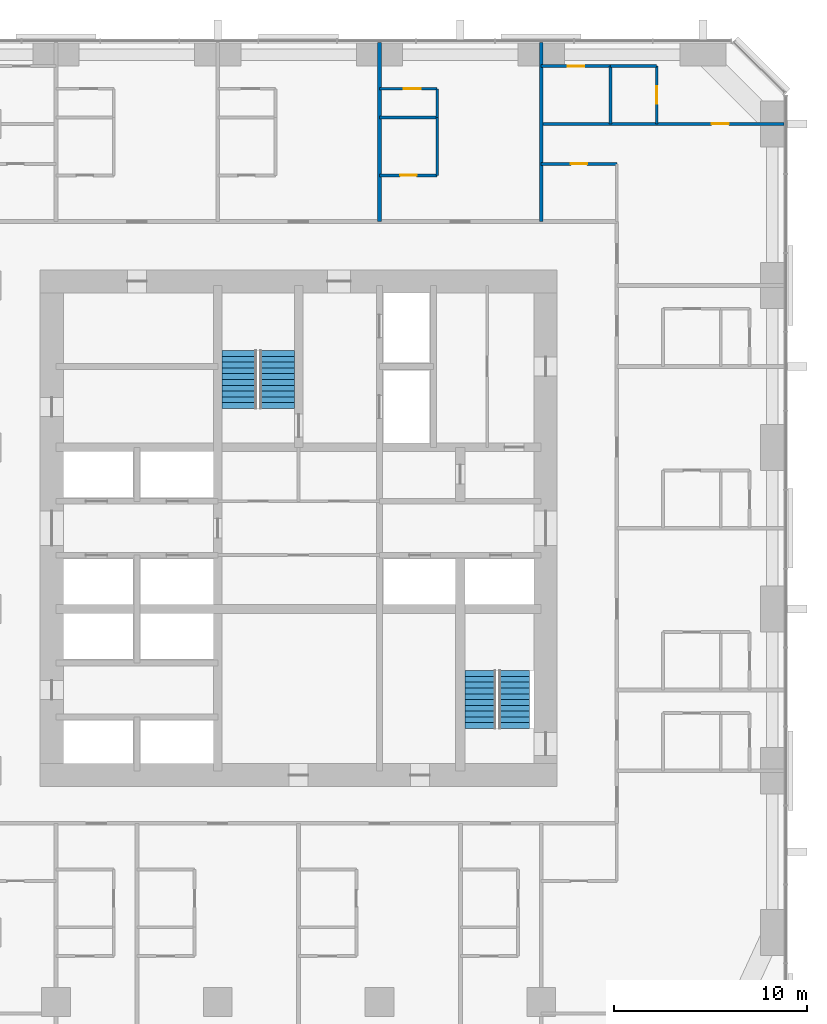
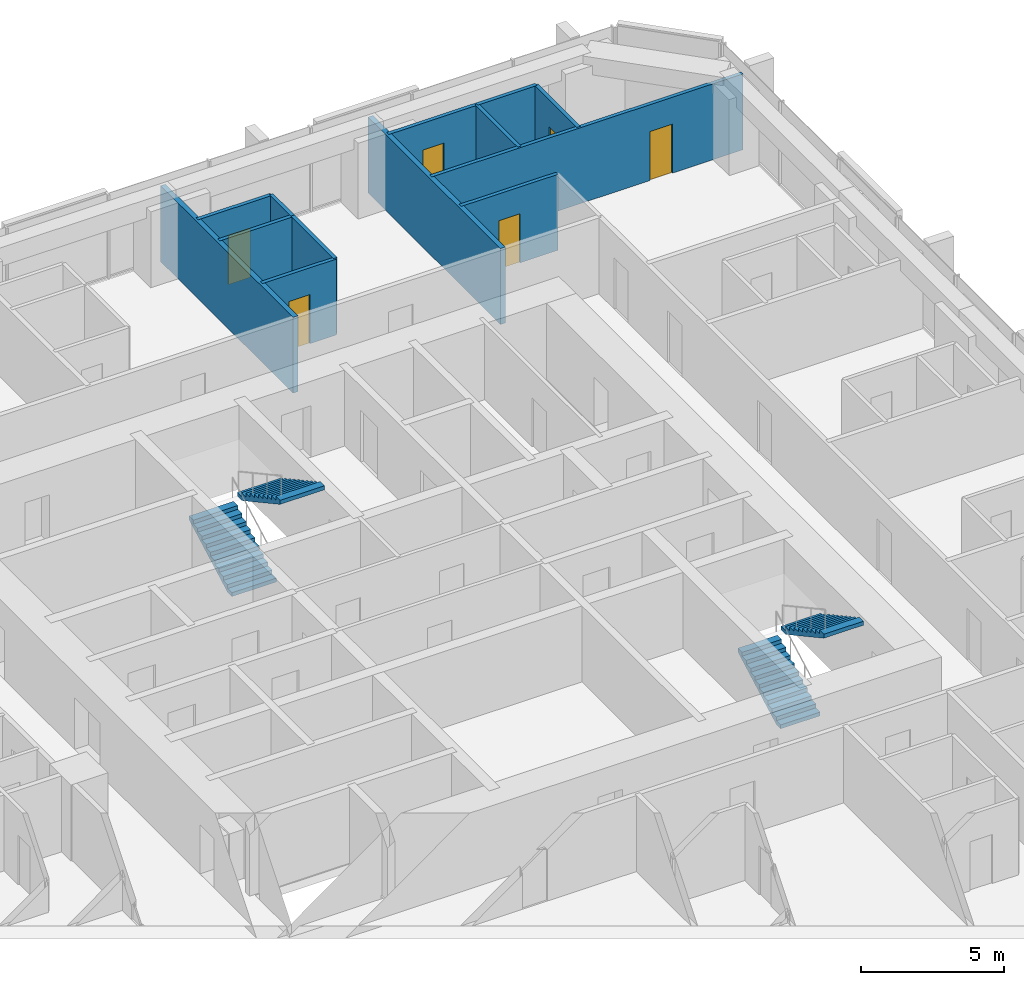
# One storey, part 13 of 14: 13 walls, 6 doors, 4 stair flights, 6 openings, 2 elements without a shape of their own.
"""IFC4 building model written with IfcOpenShell, lengths in metres."""

from ifc_helpers import new_model, si_unit, direction, frame, frame_2d, origin, place, context, subcontext, project, spatial, polyline, rectangle, outline, extrude, material, layer, layer_set, type_object, element, fill, aggregate, save


model = new_model("IFC4")

# Units and contexts
model_context = context("Model", 3, precision=1e-05, world=origin(), true_north=direction((0.0, 1.0)))
body_context = subcontext(model_context, "Body", "Model", "MODEL_VIEW")
ifc_project = project(units=[si_unit("LENGTHUNIT", "METRE"), si_unit("AREAUNIT", "SQUARE_METRE"), si_unit("VOLUMEUNIT", "CUBIC_METRE"), si_unit("PLANEANGLEUNIT", "RADIAN"), si_unit("MASSUNIT", "GRAM", prefix="KILO")], contexts=[model_context])

# Site, building, storey
site_placement = place(None, origin())
site = spatial("IfcSite", under=ifc_project, at=site_placement, CompositionType="ELEMENT")
building_placement = place(site_placement, origin())
building = spatial("IfcBuilding", under=site, at=building_placement, Name="Dunama Terrace Hotel", CompositionType="ELEMENT")
storey_placement = place(building_placement, frame((0.0, 0.0, 104.39990234375)))
storey = spatial("IfcBuildingStorey", under=building, at=storey_placement, Name="L26", CompositionType="ELEMENT", Elevation=104.39990234375)

# Wall
ifc_material_1 = material(Name="Gypsum board partition", Category="masonry")
ifc_layer_1 = layer(ifc_material_1, 0.14990234375)
ifc_layer_set_1 = layer_set([ifc_layer_1], Name="Bathroom partition 150")
wall_type_1 = type_object("IfcWallType", Name="Bathroom partition 150", PredefinedType="PARTITIONING", material=ifc_layer_set_1)
wall_1_placement = place(storey_placement, frame((36.60009765625, 47.72509765625, 0.0), z_axis=(0.0, 0.0, 1.0), x_axis=(0.0, 1.0, 0.0)))
element("IfcWall", 1, at=wall_1_placement, inside=storey, type_object=wall_type_1, Name="Bathroom partition 150 L26", PredefinedType="PARTITIONING", context=body_context, shape_type="SweptSolid", body=[
    extrude(rectangle(XDim=3.0, YDim=0.14990234375, at=frame_2d((1.5, 0.0))), origin(), (0.0, 0.0, 1.0), 3.25),
])

# Wall, opening, door
wall_2_placement = place(storey_placement, frame((33.60009765625, 47.72509765625, 0.0), z_axis=(0.0, 0.0, 1.0), x_axis=(1.0, 0.0, 0.0)))
wall_2 = element("IfcWall", 2, at=wall_2_placement, inside=storey, type_object=wall_type_1, Name="Bathroom partition 150 L26", PredefinedType="PARTITIONING", context=body_context, shape_type="SweptSolid", body=[
    extrude(rectangle(XDim=3.0, YDim=0.14990234375, at=frame_2d((1.5, 0.0))), origin(), (0.0, 0.0, 1.0), 3.25),
])
opening_1_placement = place(wall_2_placement, frame((1.074951171875, 0.0, 0.0)))
opening_1 = element("IfcOpeningElement", 3, at=opening_1_placement, cuts=wall_2, Name="Opening L25-27-042", PredefinedType="OPENING", context=body_context, shape_type="SweptSolid", body=[
    extrude(rectangle(XDim=0.85009765625, YDim=2.10009765625, at=frame_2d((0.425048828125, 1.050048828125))), frame((0.0, 0.0849609375, 0.0), z_axis=(0.0, -1.0, 0.0), x_axis=(1.0, 0.0, 0.0)), (0.0, 0.0, 1.0), 0.169921875),
])
ifc_material_2 = material(Name="Timber door with steel frame", Category="steel")
door_type_1 = type_object("IfcDoorType", Name="Bathroom door 850", OperationType="SINGLE_SWING_LEFT", PredefinedType="DOOR", material=ifc_material_2)
door_1_placement = place(opening_1_placement, origin())
door_1 = element("IfcDoor", 4, at=door_1_placement, inside=storey, type_object=door_type_1, Name="Door to en-suite bathroom L25-27-042, type D2", OperationType="SINGLE_SWING_LEFT", OverallHeight=2.10009765625, OverallWidth=0.85009765625, PredefinedType="DOOR", context=body_context, shape_type="SweptSolid", body=[
    extrude(rectangle(XDim=0.85009765625, YDim=2.10009765625, at=frame_2d((0.425048828125, 1.050048828125))), frame((0.0, 0.02490234375, 0.0), z_axis=(0.0, -1.0, 0.0), x_axis=(1.0, 0.0, 0.0)), (0.0, 0.0, 1.0), 0.050048828125),
])
fill(opening_1, door_1)

wall_3_placement = place(storey_placement, frame((42.0, 48.324951171875, 0.0), z_axis=(0.0, 0.0, 1.0), x_axis=(1.0, 0.0, 0.0)))
wall_3 = element("IfcWall", 5, at=wall_3_placement, inside=storey, type_object=wall_type_1, Name="Bathroom partition 150 L26", PredefinedType="PARTITIONING", context=body_context, shape_type="SweptSolid", body=[
    extrude(rectangle(XDim=3.925048828125, YDim=0.14990234375, at=frame_2d((1.96240234375, 0.0))), origin(), (0.0, 0.0, 1.0), 3.25),
])
opening_2_placement = place(wall_3_placement, frame((1.5380859375, 0.0, 0.0)))
opening_2 = element("IfcOpeningElement", 6, at=opening_2_placement, cuts=wall_3, Name="Opening L25-27-070", PredefinedType="OPENING", context=body_context, shape_type="SweptSolid", body=[
    extrude(rectangle(XDim=0.85009765625, YDim=2.10009765625, at=frame_2d((0.425048828125, 1.050048828125))), frame((0.0, 0.0849609375, 0.0), z_axis=(0.0, -1.0, 0.0), x_axis=(1.0, 0.0, 0.0)), (0.0, 0.0, 1.0), 0.169921875),
])
door_2_placement = place(opening_2_placement, frame((0.85009765625, 0.0, 0.0), z_axis=(0.0, 0.0, 1.0), x_axis=(-1.0, 0.0, 0.0)))
door_2 = element("IfcDoor", 7, at=door_2_placement, inside=storey, type_object=door_type_1, Name="Door to powder room L25-27-070, type D2", OperationType="SINGLE_SWING_RIGHT", OverallHeight=2.10009765625, OverallWidth=0.85009765625, PredefinedType="DOOR", context=body_context, shape_type="SweptSolid", body=[
    extrude(rectangle(XDim=0.85009765625, YDim=2.10009765625, at=frame_2d((0.425048828125, 1.050048828125))), frame((0.0, 0.025146484375, 0.0), z_axis=(0.0, -1.0, 0.0), x_axis=(1.0, 0.0, 0.0)), (0.0, 0.0, 1.0), 0.050048828125),
])
fill(opening_2, door_2)

wall_4_placement = place(storey_placement, frame((42.0, 53.39990234375, 0.0), z_axis=(0.0, 0.0, 1.0), x_axis=(1.0, 0.0, 0.0)))
wall_4 = element("IfcWall", 8, at=wall_4_placement, inside=storey, type_object=wall_type_1, Name="Bathroom partition 150 L26", PredefinedType="PARTITIONING", context=body_context, shape_type="SweptSolid", body=[
    extrude(rectangle(XDim=3.60009765625, YDim=0.14990234375, at=frame_2d((1.800048828125, 0.0))), origin(), (0.0, 0.0, 1.0), 3.25),
])
opening_3_placement = place(wall_4_placement, frame((1.375, 0.0, 0.0)))
opening_3 = element("IfcOpeningElement", 9, at=opening_3_placement, cuts=wall_4, Name="Opening L25-27-072", PredefinedType="OPENING", context=body_context, shape_type="SweptSolid", body=[
    extrude(rectangle(XDim=0.85009765625, YDim=2.10009765625, at=frame_2d((0.425048828125, 1.050048828125))), frame((0.0, 0.0849609375, 0.0), z_axis=(0.0, -1.0, 0.0), x_axis=(1.0, 0.0, 0.0)), (0.0, 0.0, 1.0), 0.169921875),
])
door_3_placement = place(opening_3_placement, frame((0.85009765625, 0.0, 0.0), z_axis=(0.0, 0.0, 1.0), x_axis=(-1.0, 0.0, 0.0)))
door_3 = element("IfcDoor", 10, at=door_3_placement, inside=storey, type_object=door_type_1, Name="Door to en-suite bathroom L25-27-072, type D2", OperationType="SINGLE_SWING_RIGHT", OverallHeight=2.10009765625, OverallWidth=0.85009765625, PredefinedType="DOOR", context=body_context, shape_type="SweptSolid", body=[
    extrude(rectangle(XDim=0.85009765625, YDim=2.10009765625, at=frame_2d((0.425048828125, 1.050048828125))), frame((0.0, 0.025146484375, 0.0), z_axis=(0.0, -1.0, 0.0), x_axis=(1.0, 0.0, 0.0)), (0.0, 0.0, 1.0), 0.050048828125),
])
fill(opening_3, door_3)

# Walls
ifc_material_3 = material(Name="Concrete blockwork", Category="masonry")
ifc_layer_2 = layer(ifc_material_3, 0.199951171875)
ifc_layer_set_2 = layer_set([ifc_layer_2], Name="Party wall 200")
wall_type_2 = type_object("IfcWallType", Name="Party wall 200", PredefinedType="PARTITIONING", material=ifc_layer_set_2)
for number, where, z_axis, x_axis, name in (
    (11, (33.60009765625, 45.324951171875, 0.0), (0.0, 0.0, 1.0), (0.0, 1.0, 0.0), "Party wall 200 L26"),
    (12, (42.0, 45.324951171875, 0.0), (0.0, 0.0, 1.0), (0.0, 1.0, 0.0), "Party wall 200 L26"),
):
    element("IfcWall", number, at=place(storey_placement, frame(where, z_axis=z_axis, x_axis=x_axis)), inside=storey, type_object=wall_type_2, Name=name, PredefinedType="PARTITIONING", context=body_context, shape_type="SweptSolid", body=[
        extrude(rectangle(XDim=9.29296875, YDim=0.199951171875, at=frame_2d((4.646484375, 0.0))), origin(), (0.0, 0.0, 1.0), 3.25),
    ])
ifc_material_4 = material(Name="Gypsum board partition", Category="masonry")
ifc_layer_3 = layer(ifc_material_4, 0.14990234375)
ifc_layer_set_3 = layer_set([ifc_layer_3], Name="Room partition 150")
wall_type_3 = type_object("IfcWallType", Name="Room partition 150", PredefinedType="PARTITIONING", material=ifc_layer_set_3)
wall_5_placement = place(storey_placement, frame((36.60009765625, 50.72509765625, 0.0), z_axis=(0.0, 0.0, 1.0), x_axis=(0.0, 1.0, 0.0)))
element("IfcWall", 13, at=wall_5_placement, inside=storey, type_object=wall_type_3, Name="Room partition 150 L26", PredefinedType="PARTITIONING", context=body_context, shape_type="SweptSolid", body=[
    extrude(rectangle(XDim=1.5, YDim=0.14990234375, at=frame_2d((0.75, 0.0))), origin(), (0.0, 0.0, 1.0), 3.25),
])
wall_6_placement = place(storey_placement, frame((45.60009765625, 50.39990234375, 0.0), z_axis=(0.0, 0.0, 1.0), x_axis=(0.0, 1.0, 0.0)))
element("IfcWall", 14, at=wall_6_placement, inside=storey, type_object=wall_type_3, Name="Room partition 150 L26", PredefinedType="PARTITIONING", context=body_context, shape_type="SweptSolid", body=[
    extrude(rectangle(XDim=3.0, YDim=0.14990234375, at=frame_2d((1.5, 0.0))), origin(), (0.0, 0.0, 1.0), 3.25),
])

# Wall, opening, door
wall_7_placement = place(storey_placement, frame((48.0, 50.39990234375, 0.0), z_axis=(0.0, 0.0, 1.0), x_axis=(0.0, 1.0, 0.0)))
wall_7 = element("IfcWall", 15, at=wall_7_placement, inside=storey, type_object=wall_type_3, Name="Room partition 150 L26", PredefinedType="PARTITIONING", context=body_context, shape_type="SweptSolid", body=[
    extrude(rectangle(XDim=3.0, YDim=0.14990234375, at=frame_2d((1.5, 0.0))), origin(), (0.0, 0.0, 1.0), 3.25),
])
opening_4_placement = place(wall_7_placement, frame((1.050048828125, 0.0, 0.0)))
opening_4 = element("IfcOpeningElement", 16, at=opening_4_placement, cuts=wall_7, Name="Opening L25-27-073", PredefinedType="OPENING", context=body_context, shape_type="SweptSolid", body=[
    extrude(rectangle(XDim=0.89990234375, YDim=2.10009765625, at=frame_2d((0.449951171875, 1.050048828125))), frame((0.0, 0.0849609375, 0.0), z_axis=(0.0, -1.0, 0.0), x_axis=(1.0, 0.0, 0.0)), (0.0, 0.0, 1.0), 0.169921875),
])
ifc_material_5 = material(Name="Timber door with steel frame", Category="steel")
door_type_2 = type_object("IfcDoorType", Name="Suite internal door 900", OperationType="SINGLE_SWING_LEFT", PredefinedType="DOOR", material=ifc_material_5)
door_4_placement = place(opening_4_placement, origin())
door_4 = element("IfcDoor", 17, at=door_4_placement, inside=storey, type_object=door_type_2, Name="Door to dressing room L25-27-073, type D16", OperationType="SINGLE_SWING_LEFT", OverallHeight=2.10009765625, OverallWidth=0.89990234375, PredefinedType="DOOR", context=body_context, shape_type="SweptSolid", body=[
    extrude(rectangle(XDim=0.89990234375, YDim=2.10009765625, at=frame_2d((0.449951171875, 1.050048828125))), frame((0.0, 0.02490234375, 0.0), z_axis=(0.0, -1.0, 0.0), x_axis=(1.0, 0.0, 0.0)), (0.0, 0.0, 1.0), 0.050048828125),
])
fill(opening_4, door_4)

wall_8_placement = place(storey_placement, frame((42.0, 50.39990234375, 0.0), z_axis=(0.0, 0.0, 1.0), x_axis=(1.0, 0.0, 0.0)))
wall_8 = element("IfcWall", 18, at=wall_8_placement, inside=storey, type_object=wall_type_3, Name="Room partition 150 L26", PredefinedType="PARTITIONING", context=body_context, shape_type="SweptSolid", body=[
    extrude(rectangle(XDim=12.617919921875, YDim=0.14990234375, at=frame_2d((6.30908203125, 0.0))), origin(), (0.0, 0.0, 1.0), 3.25),
])
opening_5_placement = place(wall_8_placement, frame((8.85009765625, 0.0, 0.0)))
opening_5 = element("IfcOpeningElement", 19, at=opening_5_placement, cuts=wall_8, Name="Opening L25-27-071", PredefinedType="OPENING", context=body_context, shape_type="SweptSolid", body=[
    extrude(rectangle(XDim=0.89990234375, YDim=2.10009765625, at=frame_2d((0.449951171875, 1.050048828125))), frame((0.0, 0.0849609375, 0.0), z_axis=(0.0, -1.0, 0.0), x_axis=(1.0, 0.0, 0.0)), (0.0, 0.0, 1.0), 0.169921875),
])
door_5_placement = place(opening_5_placement, origin())
door_5 = element("IfcDoor", 20, at=door_5_placement, inside=storey, type_object=door_type_2, Name="Door to corner suite bedroom L25-27-071, type D16", OperationType="SINGLE_SWING_RIGHT", OverallHeight=2.10009765625, OverallWidth=0.89990234375, PredefinedType="DOOR", context=body_context, shape_type="SweptSolid", body=[
    extrude(rectangle(XDim=0.89990234375, YDim=2.10009765625, at=frame_2d((0.449951171875, 1.050048828125))), frame((0.0, 0.02490234375, 0.0), z_axis=(0.0, -1.0, 0.0), x_axis=(1.0, 0.0, 0.0)), (0.0, 0.0, 1.0), 0.050048828125),
])
fill(opening_5, door_5)

# Wall
wall_9_placement = place(storey_placement, frame((33.60009765625, 50.72509765625, 0.0), z_axis=(0.0, 0.0, 1.0), x_axis=(1.0, 0.0, 0.0)))
element("IfcWall", 21, at=wall_9_placement, inside=storey, type_object=wall_type_3, Name="Room partition 150 L26", PredefinedType="PARTITIONING", context=body_context, shape_type="SweptSolid", body=[
    extrude(rectangle(XDim=3.0, YDim=0.14990234375, at=frame_2d((1.5, 0.0))), origin(), (0.0, 0.0, 1.0), 3.25),
])

# Wall, opening, door
wall_10_placement = place(storey_placement, frame((33.60009765625, 52.22509765625, 0.0), z_axis=(0.0, 0.0, 1.0), x_axis=(1.0, 0.0, 0.0)))
wall_10 = element("IfcWall", 22, at=wall_10_placement, inside=storey, type_object=wall_type_3, Name="Room partition 150 L26", PredefinedType="PARTITIONING", context=body_context, shape_type="SweptSolid", body=[
    extrude(rectangle(XDim=3.0, YDim=0.14990234375, at=frame_2d((1.5, 0.0))), origin(), (0.0, 0.0, 1.0), 3.25),
])
opening_6_placement = place(wall_10_placement, frame((1.25, 0.0, 0.0)))
opening_6 = element("IfcOpeningElement", 23, at=opening_6_placement, cuts=wall_10, Name="Opening L25-27-043", PredefinedType="OPENING", context=body_context, shape_type="SweptSolid", body=[
    extrude(rectangle(XDim=0.89990234375, YDim=2.10009765625, at=frame_2d((0.449951171875, 1.050048828125))), frame((0.0, 0.0849609375, 0.0), z_axis=(0.0, -1.0, 0.0), x_axis=(1.0, 0.0, 0.0)), (0.0, 0.0, 1.0), 0.169921875),
])
door_6_placement = place(opening_6_placement, frame((0.89990234375, 0.0, 0.0), z_axis=(0.0, 0.0, 1.0), x_axis=(-1.0, 0.0, 0.0)))
door_6 = element("IfcDoor", 24, at=door_6_placement, inside=storey, type_object=door_type_2, Name="Door to walk-in wardrobe L25-27-043, type D16", OperationType="SINGLE_SWING_RIGHT", OverallHeight=2.10009765625, OverallWidth=0.89990234375, PredefinedType="DOOR", context=body_context, shape_type="SweptSolid", body=[
    extrude(rectangle(XDim=0.89990234375, YDim=2.10009765625, at=frame_2d((0.449951171875, 1.050048828125))), frame((0.0, 0.025146484375, 0.0), z_axis=(0.0, -1.0, 0.0), x_axis=(1.0, 0.0, 0.0)), (0.0, 0.0, 1.0), 0.050048828125),
])
fill(opening_6, door_6)

# Wall
wall_11_placement = place(storey_placement, frame((45.60009765625, 53.39990234375, 0.0), z_axis=(0.0, 0.0, 1.0), x_axis=(1.0, 0.0, 0.0)))
element("IfcWall", 25, at=wall_11_placement, inside=storey, type_object=wall_type_3, Name="Room partition 150 L26", PredefinedType="PARTITIONING", context=body_context, shape_type="SweptSolid", body=[
    extrude(rectangle(XDim=2.39990234375, YDim=0.14990234375, at=frame_2d((1.199951171875, 0.0))), origin(), (0.0, 0.0, 1.0), 3.25),
])

# Stair, stair flights
ifc_material_6 = material(Name="Concrete C40/50", Category="concrete")
stair_type_1 = type_object("IfcStairType", Name="Stair ST1-3600-1800", PredefinedType="HALF_TURN_STAIR", material=ifc_material_6)
stair_1_placement = place(storey_placement, origin())
stair_1 = element("IfcStair", 26, at=stair_1_placement, inside=storey, type_object=stair_type_1, Name="Stair ST1 L26", PredefinedType="HALF_TURN_STAIR")
ifc_material_7 = material(Name="Concrete C40/50", Category="concrete")
stair_flight_type_1 = type_object("IfcStairFlightType", Name="Stair flight ST1-3600-1800", PredefinedType="STRAIGHT", material=ifc_material_7)
stair_flight_1_placement = place(storey_placement, frame((26.324951171875, 35.625, 0.0), z_axis=(0.0, 0.0, 1.0), x_axis=(0.0, 1.0, 0.0)))
stair_flight_1 = element("IfcStairFlight", 27, at=stair_flight_1_placement, type_object=stair_flight_type_1, Name="ST1 flight 1", NumberOfRisers=11, NumberOfTreads=10, PredefinedType="STRAIGHT", RiserHeight=0.163636364, TreadLength=0.3, context=body_context, shape_type="SweptSolid", body=[
    extrude(outline(polyline([(0.0, 0.0), (0.0, 0.16357421875), (0.300048828125, 0.16357421875), (0.300048828125, 0.327392578125), (0.60009765625, 0.327392578125), (0.60009765625, 0.490966796875), (0.89990234375, 0.490966796875), (0.89990234375, 0.654541015625), (1.199951171875, 0.654541015625), (1.199951171875, 0.818115234375), (1.5, 0.818115234375), (1.5, 0.98193359375), (1.800048828125, 0.98193359375), (1.800048828125, 1.1455078125), (2.10009765625, 1.1455078125), (2.10009765625, 1.30908203125), (2.39990234375, 1.30908203125), (2.39990234375, 1.47265625), (2.699951171875, 1.47265625), (2.699951171875, 1.636474609375), (3.0, 1.636474609375), (3.0, 1.800048828125), (3.0, 1.465576171875), (0.31298828125, 0.0), (0.0, 0.0)])), frame((0.0, 0.89990234375, 0.0), z_axis=(0.0, -1.0, 0.0), x_axis=(1.0, 0.0, 0.0)), (0.0, 0.0, 1.0), 1.800048828125),
])
stair_flight_2_placement = place(storey_placement, frame((28.27490234375, 38.625, 1.800048828125), z_axis=(0.0, 0.0, 1.0), x_axis=(0.0, -1.0, 0.0)))
stair_flight_2 = element("IfcStairFlight", 28, at=stair_flight_2_placement, type_object=stair_flight_type_1, Name="ST1 flight 2", NumberOfRisers=11, NumberOfTreads=10, PredefinedType="STRAIGHT", RiserHeight=0.163636364, TreadLength=0.3, context=body_context, shape_type="SweptSolid", body=[
    extrude(outline(polyline([(0.0, 0.0), (0.0, 0.16357421875), (0.300048828125, 0.16357421875), (0.300048828125, 0.327392578125), (0.60009765625, 0.327392578125), (0.60009765625, 0.490966796875), (0.89990234375, 0.490966796875), (0.89990234375, 0.654541015625), (1.199951171875, 0.654541015625), (1.199951171875, 0.818115234375), (1.5, 0.818115234375), (1.5, 0.98193359375), (1.800048828125, 0.98193359375), (1.800048828125, 1.1455078125), (2.10009765625, 1.1455078125), (2.10009765625, 1.30908203125), (2.39990234375, 1.30908203125), (2.39990234375, 1.47265625), (2.699951171875, 1.47265625), (2.699951171875, 1.636474609375), (3.0, 1.636474609375), (3.0, 1.800048828125), (3.0, 1.465576171875), (0.31298828125, 0.0), (0.0, 0.0)])), frame((0.0, 0.89990234375, 0.0), z_axis=(0.0, -1.0, 0.0), x_axis=(1.0, 0.0, 0.0)), (0.0, 0.0, 1.0), 1.800048828125),
])
aggregate(stair_1, [stair_flight_1, stair_flight_2])

ifc_material_8 = material(Name="Concrete C40/50", Category="concrete")
stair_type_2 = type_object("IfcStairType", Name="Stair ST2-3600-1600", PredefinedType="HALF_TURN_STAIR", material=ifc_material_8)
stair_2_placement = place(storey_placement, origin())
stair_2 = element("IfcStair", 29, at=stair_2_placement, inside=storey, type_object=stair_type_2, Name="Stair ST2 L26", PredefinedType="HALF_TURN_STAIR")
ifc_material_9 = material(Name="Concrete C40/50", Category="concrete")
stair_flight_type_2 = type_object("IfcStairFlightType", Name="Stair flight ST2-3600-1600", PredefinedType="STRAIGHT", material=ifc_material_9)
stair_flight_3_placement = place(storey_placement, frame((38.85009765625, 19.0, 0.0), z_axis=(0.0, 0.0, 1.0), x_axis=(0.0, 1.0, 0.0)))
stair_flight_3 = element("IfcStairFlight", 30, at=stair_flight_3_placement, type_object=stair_flight_type_2, Name="ST2 flight 1", NumberOfRisers=11, NumberOfTreads=10, PredefinedType="STRAIGHT", RiserHeight=0.163636364, TreadLength=0.3, context=body_context, shape_type="SweptSolid", body=[
    extrude(outline(polyline([(0.0, 0.0), (0.0, 0.16357421875), (0.300048828125, 0.16357421875), (0.300048828125, 0.327392578125), (0.60009765625, 0.327392578125), (0.60009765625, 0.490966796875), (0.89990234375, 0.490966796875), (0.89990234375, 0.654541015625), (1.199951171875, 0.654541015625), (1.199951171875, 0.818115234375), (1.5, 0.818115234375), (1.5, 0.98193359375), (1.800048828125, 0.98193359375), (1.800048828125, 1.1455078125), (2.10009765625, 1.1455078125), (2.10009765625, 1.30908203125), (2.39990234375, 1.30908203125), (2.39990234375, 1.47265625), (2.699951171875, 1.47265625), (2.699951171875, 1.636474609375), (3.0, 1.636474609375), (3.0, 1.800048828125), (3.0, 1.465576171875), (0.31298828125, 0.0), (0.0, 0.0)])), frame((0.0, 0.800048828125, 0.0), z_axis=(0.0, -1.0, 0.0), x_axis=(1.0, 0.0, 0.0)), (0.0, 0.0, 1.0), 1.60009765625),
])
stair_flight_4_placement = place(storey_placement, frame((40.60009765625, 22.0, 1.800048828125), z_axis=(0.0, 0.0, 1.0), x_axis=(0.0, -1.0, 0.0)))
stair_flight_4 = element("IfcStairFlight", 31, at=stair_flight_4_placement, type_object=stair_flight_type_2, Name="ST2 flight 2", NumberOfRisers=11, NumberOfTreads=10, PredefinedType="STRAIGHT", RiserHeight=0.163636364, TreadLength=0.3, context=body_context, shape_type="SweptSolid", body=[
    extrude(outline(polyline([(0.0, 0.0), (0.0, 0.16357421875), (0.300048828125, 0.16357421875), (0.300048828125, 0.327392578125), (0.60009765625, 0.327392578125), (0.60009765625, 0.490966796875), (0.89990234375, 0.490966796875), (0.89990234375, 0.654541015625), (1.199951171875, 0.654541015625), (1.199951171875, 0.818115234375), (1.5, 0.818115234375), (1.5, 0.98193359375), (1.800048828125, 0.98193359375), (1.800048828125, 1.1455078125), (2.10009765625, 1.1455078125), (2.10009765625, 1.30908203125), (2.39990234375, 1.30908203125), (2.39990234375, 1.47265625), (2.699951171875, 1.47265625), (2.699951171875, 1.636474609375), (3.0, 1.636474609375), (3.0, 1.800048828125), (3.0, 1.465576171875), (0.31298828125, 0.0), (0.0, 0.0)])), frame((0.0, 0.800048828125, 0.0), z_axis=(0.0, -1.0, 0.0), x_axis=(1.0, 0.0, 0.0)), (0.0, 0.0, 1.0), 1.60009765625),
])
aggregate(stair_2, [stair_flight_3, stair_flight_4])

save(model, "model.ifc")
